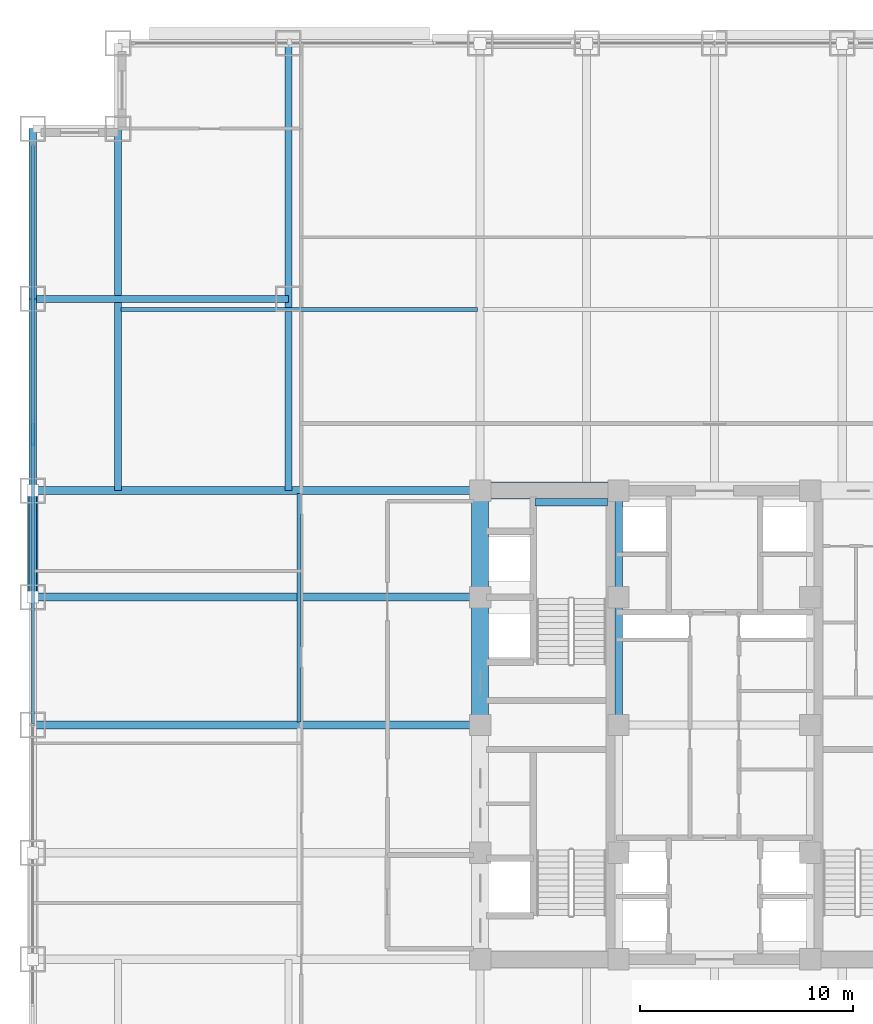
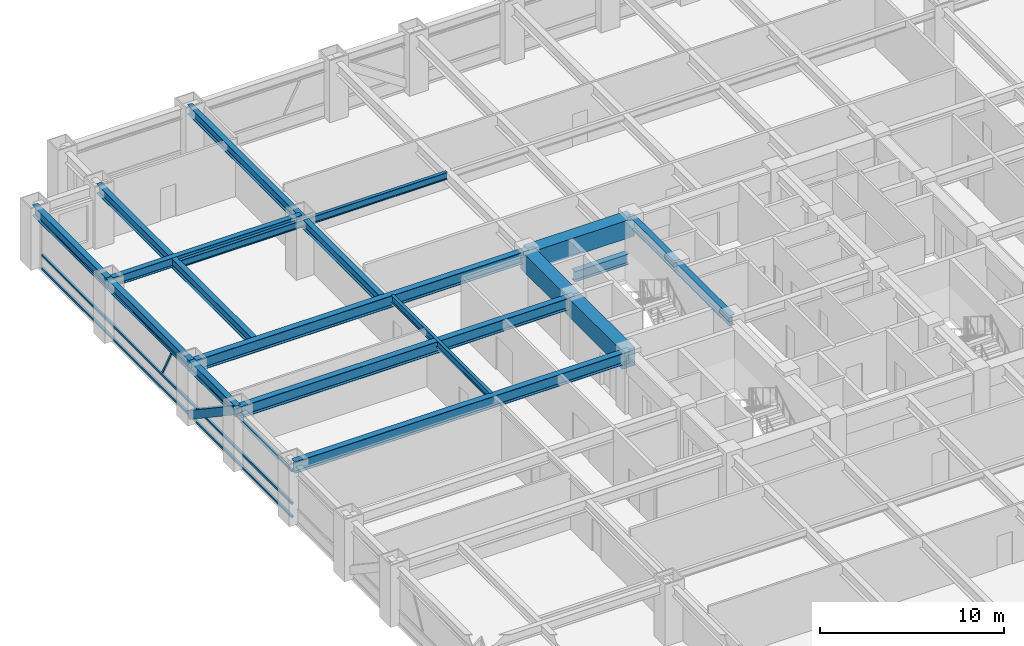
# One storey, part 9 of 32: 17 beams, 5 members, 1 element without a shape of its own.
"""IFC4 building model written with IfcOpenShell, lengths in metres."""

import ifcopenshell
import ifcopenshell.guid

model = None  # the IFC model being written
_history = None  # IfcOwnerHistory: only IFC2X3 demands one
_inside = {}  # id of a spatial element -> (the spatial element, [elements in it])
_under = {}  # id of a project, library or spatial element -> (it, [spatial elements below it])
_declared = {}  # id of a project -> (the project, [libraries it declares])
_typed = {}  # id of a type object -> (the type object, [elements of that type])
_made_of = {}  # id of a material, layer set ... -> (it, [elements and type objects made of it])


def new_model(schema):
    """Start an empty IFC model of exactly this schema.

    Asked for "IFC4X3", IfcOpenShell would pick the latest addendum, in which some entities
    have other attributes; the version numbers below select the first issue.
    IFC2X3 requires an IfcOwnerHistory on every rooted entity: one is made here for all.
    """
    global model, _history
    if schema == "IFC4X3":
        model = ifcopenshell.file(schema_version=(4, 3, 0, 0))
    else:
        model = ifcopenshell.file(schema=schema)
    _inside.clear()
    _under.clear()
    _declared.clear()
    _typed.clear()
    _made_of.clear()
    _history = None
    if model.schema == "IFC2X3":
        org = make("IfcOrganization", Name="unknown")
        user = make(
            "IfcPersonAndOrganization",
            ThePerson=make("IfcPerson", FamilyName="unknown"),
            TheOrganization=org,
        )
        app = make(
            "IfcApplication",
            ApplicationDeveloper=org,
            Version="unknown",
            ApplicationFullName="unknown",
            ApplicationIdentifier="unknown",
        )
        _history = make(
            "IfcOwnerHistory",
            OwningUser=user,
            OwningApplication=app,
            ChangeAction="ADDED",
            CreationDate=0,
        )
    return model


def make(cls, **values):
    """One entity of the class cls with the attributes given. An attribute that is None is left unset."""
    return model.create_entity(
        cls, **{name: value for name, value in values.items() if value is not None}
    )


def rooted(cls, **values):
    """An entity with a GlobalId (a new one), such as an element, a storey or a relation."""
    return make(cls, GlobalId=ifcopenshell.guid.new(), OwnerHistory=_history, **values)


def si_unit(unit_type, name, prefix=None):
    """IfcSIUnit, for example si_unit("LENGTHUNIT", "METRE", prefix="MILLI")."""
    return make("IfcSIUnit", UnitType=unit_type, Prefix=prefix, Name=name)


def assignment(units):
    """IfcUnitAssignment: the units of a project."""
    return None if units is None else make("IfcUnitAssignment", Units=units)


def point(xyz):
    """IfcCartesianPoint."""
    return None if xyz is None else make("IfcCartesianPoint", Coordinates=xyz)


def direction(xyz):
    """IfcDirection."""
    return None if xyz is None else make("IfcDirection", DirectionRatios=xyz)


def frame(location, z_axis=None, x_axis=None):
    """IfcAxis2Placement3D, a coordinate frame: its origin and axes. An axis left out is left unset."""
    return make(
        "IfcAxis2Placement3D",
        Location=point(location),
        Axis=direction(z_axis),
        RefDirection=direction(x_axis),
    )


def frame_2d(location, x_axis=None):
    """IfcAxis2Placement2D, a coordinate frame in the plane: its origin and x axis."""
    return make(
        "IfcAxis2Placement2D", Location=point(location), RefDirection=direction(x_axis)
    )


def origin():
    """The frame at (0, 0, 0) with its axes left unset."""
    return frame((0.0, 0.0, 0.0))


def origin_2d():
    """The frame at (0, 0) in the plane with its x axis left unset."""
    return frame_2d((0.0, 0.0))


def place(relative_to, where):
    """IfcLocalPlacement: puts the frame where relative to a parent placement (None: the world)."""
    return make(
        "IfcLocalPlacement", PlacementRelTo=relative_to, RelativePlacement=where
    )


def context(
    kind, dimensions, precision=None, world=None, true_north=None, identifier=None
):
    """IfcGeometricRepresentationContext, for example the 3D "Model" context."""
    return make(
        "IfcGeometricRepresentationContext",
        ContextIdentifier=identifier,
        ContextType=kind,
        CoordinateSpaceDimension=dimensions,
        Precision=precision,
        WorldCoordinateSystem=world,
        TrueNorth=true_north,
    )


def subcontext(parent, identifier, kind, view, scale=None):
    """IfcGeometricRepresentationSubContext, for example "Body" below "Model"."""
    return make(
        "IfcGeometricRepresentationSubContext",
        ContextIdentifier=identifier,
        ContextType=kind,
        ParentContext=parent,
        TargetScale=scale,
        TargetView=view,
    )


def project(units=None, contexts=None):
    """IfcProject with its units and contexts."""
    return rooted(
        "IfcProject",
        Name="project",
        RepresentationContexts=contexts,
        UnitsInContext=assignment(units),
    )


def spatial(cls, under=None, at=None, **own):
    """A site, building, storey or space (cls), placed at a placement, below another one or the project."""
    s = rooted(cls, ObjectPlacement=at, **own)
    if under is not None:
        _under.setdefault(under.id(), (under, []))[1].append(s)
    return s


def profile(cls, at=None, kind="AREA", **sizes):
    """A parametric profile (cls). Its sizes go by their IFC names, for example OverallWidth=200.0."""
    return make(cls, ProfileType=kind, Position=at, **sizes)


def rectangle(**sizes):
    """IfcRectangleProfileDef."""
    return profile("IfcRectangleProfileDef", **sizes)


def hollow_rectangle(**sizes):
    """IfcRectangleHollowProfileDef."""
    return profile("IfcRectangleHollowProfileDef", **sizes)


def i_section(**sizes):
    """IfcIShapeProfileDef."""
    return profile("IfcIShapeProfileDef", **sizes)


def extrude(swept, where, along, depth):
    """IfcExtrudedAreaSolid: the profile swept, set in the frame where, extruded along a direction by depth."""
    return make(
        "IfcExtrudedAreaSolid",
        SweptArea=swept,
        Position=where,
        ExtrudedDirection=direction(along),
        Depth=depth,
    )


def shape(context_of_items, identifier, shape_type, items):
    """IfcShapeRepresentation: the items that make up one representation, for example the "Body"."""
    return make(
        "IfcShapeRepresentation",
        ContextOfItems=context_of_items,
        RepresentationIdentifier=identifier,
        RepresentationType=shape_type,
        Items=items,
    )


def source(mapping_origin, context_of_items, identifier, shape_type, items):
    """IfcRepresentationMap: a shape defined once, which mapped items show again and again."""
    return make(
        "IfcRepresentationMap",
        MappingOrigin=mapping_origin,
        MappedRepresentation=shape(context_of_items, identifier, shape_type, items),
    )


def transform(
    local_origin,
    x_axis=None,
    y_axis=None,
    z_axis=None,
    scale=None,
    scale2=None,
    scale3=None,
    uniform=True,
):
    """IfcCartesianTransformationOperator3D, or its non-uniform kind. x_axis, y_axis, z_axis: its Axis1, 2, 3."""
    if uniform:
        return make(
            "IfcCartesianTransformationOperator3D",
            Axis1=direction(x_axis),
            Axis2=direction(y_axis),
            LocalOrigin=point(local_origin),
            Scale=scale,
            Axis3=direction(z_axis),
        )
    return make(
        "IfcCartesianTransformationOperator3DnonUniform",
        Axis1=direction(x_axis),
        Axis2=direction(y_axis),
        LocalOrigin=point(local_origin),
        Scale=scale,
        Axis3=direction(z_axis),
        Scale2=scale2,
        Scale3=scale3,
    )


def mapped(mapping_source, mapping_target):
    """IfcMappedItem: shows the shape of a source again, moved by a transform."""
    return make(
        "IfcMappedItem", MappingSource=mapping_source, MappingTarget=mapping_target
    )


def material(Name=None, Category=None):
    """IfcMaterial."""
    return make("IfcMaterial", Name=Name, Category=Category)


def material_profile(
    of_material, cross_section, Name=None, Category=None, Priority=None
):
    """IfcMaterialProfile: a cross section and its material."""
    return make(
        "IfcMaterialProfile",
        Name=Name,
        Material=of_material,
        Profile=cross_section,
        Priority=Priority,
        Category=Category,
    )


def profile_set(profiles, Name=None, composite=None):
    """IfcMaterialProfileSet."""
    return make(
        "IfcMaterialProfileSet",
        Name=Name,
        MaterialProfiles=profiles,
        CompositeProfile=composite,
    )


def made_of(thing, what):
    """Note that an element or type object is made of a material, layer set ...; save() writes the relation."""
    if what is not None:
        _made_of.setdefault(what.id(), (what, []))[1].append(thing)
    return thing


def type_object(cls, material=None, **own):
    """A type object (cls), such as IfcWallType, which elements share."""
    return made_of(rooted(cls, **own), material)


def element(
    cls,
    number,
    at=None,
    inside=None,
    cuts=None,
    type_object=None,
    material=None,
    context=None,
    identifier="Body",
    shape_type=None,
    held_by="IfcProductDefinitionShape",
    body=None,
    shapes=None,
    **own,
):
    """One element of the class cls, such as IfcWall. Its Tag is "e" and its number.

    at: its placement. inside: the storey or other place that contains it. cuts: it is an
    opening in that element (IfcRelVoidsElement). A single representation is given by context,
    identifier, shape_type and body (its items); several are given by shapes. held_by: the class
    of the entity that holds the representations. save() writes the other relations.
    """
    e = rooted(cls, Tag="e%d" % number, ObjectPlacement=at, **own)
    if body is not None:
        shapes = [shape(context, identifier, shape_type, body)]
    if shapes is not None:
        e.Representation = make(held_by, Representations=shapes)
    if inside is not None:
        _inside.setdefault(inside.id(), (inside, []))[1].append(e)
    if cuts is not None:
        rooted(
            "IfcRelVoidsElement", RelatingBuildingElement=cuts, RelatedOpeningElement=e
        )
    if type_object is not None:
        _typed.setdefault(type_object.id(), (type_object, []))[1].append(e)
    return made_of(e, material)


def aggregate(whole, parts):
    """IfcRelAggregates: a whole, such as a stair, and the parts it consists of."""
    return rooted("IfcRelAggregates", RelatingObject=whole, RelatedObjects=parts)


def save(model, path):
    """Write the relations noted so far, then the file.

    IfcRelAggregates (storeys below a building ...), IfcRelContainedInSpatialStructure (elements
    in a storey), IfcRelDefinesByType, IfcRelAssociatesMaterial and IfcRelDeclares: one each for
    every whole, place, type object, material and project.
    """
    for whole, parts in _under.values():
        aggregate(whole, parts)
    for where, things in _inside.values():
        rooted(
            "IfcRelContainedInSpatialStructure",
            RelatedElements=things,
            RelatingStructure=where,
        )
    for kind, things in _typed.values():
        rooted("IfcRelDefinesByType", RelatedObjects=things, RelatingType=kind)
    for what, things in _made_of.values():
        rooted("IfcRelAssociatesMaterial", RelatedObjects=things, RelatingMaterial=what)
    for by, libraries in _declared.values():
        rooted("IfcRelDeclares", RelatingContext=by, RelatedDefinitions=libraries)
    model.write(path)


model = new_model("IFC4")

# Units and contexts
model_context = context("Model", 3, precision=1e-05, world=origin(), true_north=direction((0.0, 1.0)))
body_context = subcontext(model_context, "Body", "Model", "MODEL_VIEW")
ifc_project = project(units=[si_unit("LENGTHUNIT", "METRE"), si_unit("AREAUNIT", "SQUARE_METRE"), si_unit("VOLUMEUNIT", "CUBIC_METRE"), si_unit("PLANEANGLEUNIT", "RADIAN"), si_unit("MASSUNIT", "GRAM", prefix="KILO")], contexts=[model_context])

# Site, building, storey
site_placement = place(None, origin())
site = spatial("IfcSite", under=ifc_project, at=site_placement, CompositionType="ELEMENT")
building_placement = place(site_placement, origin())
building = spatial("IfcBuilding", under=site, at=building_placement, Name="Khorayat Bourse Tower", CompositionType="ELEMENT")
storey_placement = place(building_placement, frame((0.0, 0.0, 91.39990234375)))
storey = spatial("IfcBuildingStorey", under=building, at=storey_placement, Name="L20", CompositionType="ELEMENT", Elevation=91.39990234375)

# Beams
ifc_material_1 = material(Name="Concrete C72/90", Category="concrete")
ifc_material_profile_1 = material_profile(ifc_material_1, rectangle(XDim=0.800048828125, YDim=1.199951171875, at=origin_2d()), Name="RC 800x1200")
ifc_profile_set_1 = profile_set([ifc_material_profile_1], Name="Concrete C72/90")
beam_type_1 = type_object("IfcBeamType", Name="BM-COUP-1200", PredefinedType="BEAM", material=ifc_profile_set_1)
shared_shape_1 = source(origin(), body_context, "Body", "SweptSolid", [
    extrude(rectangle(XDim=0.800048828125, YDim=1.199951171875, at=origin_2d()), origin(), (0.0, 0.0, 1.0), 5.0),
])
beam_1_placement = place(storey_placement, frame((-11.0, 6.0, 3.239990234375), z_axis=(0.0, 1.0, 0.0), x_axis=(-1.0, 0.0, 0.0)))
element("IfcBeam", 1, at=beam_1_placement, inside=storey, type_object=beam_type_1, Name="L20 BM-COUP-1200 BM-L20-CRX-04", PredefinedType="BEAM", context=body_context, shape_type="MappedRepresentation", body=[
    mapped(shared_shape_1, transform((0.0, 0.0, 0.0), scale=1.0)),
])
shared_shape_2 = source(origin(), body_context, "Body", "SweptSolid", [
    extrude(rectangle(XDim=0.800048828125, YDim=1.199951171875, at=origin_2d()), origin(), (0.0, 0.0, 1.0), 6.0),
])
beam_2_placement = place(storey_placement, frame((-11.0, 0.0, 3.239990234375), z_axis=(0.0, 1.0, 0.0), x_axis=(-1.0, 0.0, 0.0)))
element("IfcBeam", 2, at=beam_2_placement, inside=storey, type_object=beam_type_1, Name="L20 BM-COUP-1200 BM-L20-CRX-03", PredefinedType="BEAM", context=body_context, shape_type="MappedRepresentation", body=[
    mapped(shared_shape_2, transform((0.0, 0.0, 0.0), scale=1.0)),
])
ifc_material_2 = material(Name="Steel ASTM A992 Grade 50", Category="steel")
ifc_material_profile_2 = material_profile(ifc_material_2, i_section(OverallWidth=0.35498046875, OverallDepth=0.695068359375, WebThickness=0.015380859375, FlangeThickness=0.02490234375, FilletRadius=0.01806640625, at=origin_2d()), Name="W690X217")
ifc_profile_set_2 = profile_set([ifc_material_profile_2], Name="Steel ASTM A992 Grade 50")
beam_type_2 = type_object("IfcBeamType", Name="BM-GIRD-690", PredefinedType="BEAM", material=ifc_profile_set_2)
shared_shape_3 = source(origin(), body_context, "Body", "SweptSolid", [
    extrude(i_section(OverallWidth=0.35498046875, OverallDepth=0.695068359375, WebThickness=0.015380859375, FlangeThickness=0.02490234375, FilletRadius=0.01806640625, at=origin_2d()), origin(), (0.0, 0.0, 1.0), 5.0),
])
beam_3_placement = place(storey_placement, frame((-4.5, 6.0, 3.49267578125), z_axis=(0.0, 1.0, 0.0), x_axis=(-1.0, 0.0, 0.0)))
element("IfcBeam", 3, at=beam_3_placement, inside=storey, type_object=beam_type_2, Name="L20 BM-GIRD-690 BM-L20-CRX-08", PredefinedType="BEAM", context=body_context, shape_type="MappedRepresentation", body=[
    mapped(shared_shape_3, transform((0.0, 0.0, 0.0), scale=1.0)),
])
shared_shape_4 = source(origin(), body_context, "Body", "SweptSolid", [
    extrude(i_section(OverallWidth=0.35498046875, OverallDepth=0.695068359375, WebThickness=0.015380859375, FlangeThickness=0.02490234375, FilletRadius=0.01806640625, at=origin_2d()), origin(), (0.0, 0.0, 1.0), 6.0),
])
beam_4_placement = place(storey_placement, frame((-4.5, 0.0, 3.49267578125), z_axis=(0.0, 1.0, 0.0), x_axis=(-1.0, 0.0, 0.0)))
element("IfcBeam", 4, at=beam_4_placement, inside=storey, type_object=beam_type_2, Name="L20 BM-GIRD-690 BM-L20-CRX-07", PredefinedType="BEAM", context=body_context, shape_type="MappedRepresentation", body=[
    mapped(shared_shape_4, transform((0.0, 0.0, 0.0), scale=1.0)),
])
shared_shape_5 = source(origin(), body_context, "Body", "SweptSolid", [
    extrude(rectangle(XDim=0.800048828125, YDim=1.199951171875, at=origin_2d()), origin(), (0.0, 0.0, 1.0), 6.5),
])
beam_5_placement = place(storey_placement, frame((-11.0, 11.0, 3.239990234375), z_axis=(1.0, 0.0, 0.0), x_axis=(0.0, 1.0, 0.0)))
element("IfcBeam", 5, at=beam_5_placement, inside=storey, type_object=beam_type_1, Name="L20 BM-COUP-1200 BM-L20-CRY-20", PredefinedType="BEAM", context=body_context, shape_type="MappedRepresentation", body=[
    mapped(shared_shape_5, transform((0.0, 0.0, 0.0), scale=1.0)),
])
shared_shape_6 = source(origin(), body_context, "Body", "SweptSolid", [
    extrude(i_section(OverallWidth=0.35498046875, OverallDepth=0.695068359375, WebThickness=0.015380859375, FlangeThickness=0.02490234375, FilletRadius=0.01806640625, at=origin_2d()), origin(), (0.0, 0.0, 1.0), 3.39990234375),
])
beam_6_placement = place(storey_placement, frame((-8.419921875, 10.449951171875, 1.502685546875), z_axis=(1.0, 0.0, 0.0), x_axis=(0.0, 1.0, 0.0)))
element("IfcBeam", 6, at=beam_6_placement, inside=storey, type_object=beam_type_2, Name="L20 BM-GIRD-690 BM-L20-ST2L", PredefinedType="BEAM", context=body_context, shape_type="MappedRepresentation", body=[
    mapped(shared_shape_6, transform((0.0, 0.0, 0.0), scale=1.0)),
])
ifc_material_profile_3 = material_profile(ifc_material_2, i_section(OverallWidth=0.35498046875, OverallDepth=0.695068359375, WebThickness=0.015380859375, FlangeThickness=0.02490234375, FilletRadius=0.01806640625, at=origin_2d()), Name="W690X217")
ifc_profile_set_3 = profile_set([ifc_material_profile_3], Name="Steel ASTM A992 Grade 50")
beam_type_3 = type_object("IfcBeamType", Name="BM-SPAN-690", PredefinedType="SPANDREL", material=ifc_profile_set_3)
shared_shape_7 = source(origin(), body_context, "Body", "SweptSolid", [
    extrude(i_section(OverallWidth=0.35498046875, OverallDepth=0.695068359375, WebThickness=0.015380859375, FlangeThickness=0.02490234375, FilletRadius=0.01806640625, at=origin_2d()), origin(), (0.0, 0.0, 1.0), 9.0),
])
beam_7_placement = place(storey_placement, frame((-32.0, 11.0, 3.49267578125), z_axis=(0.0, 1.0, 0.0), x_axis=(-1.0, 0.0, 0.0)))
element("IfcBeam", 7, at=beam_7_placement, inside=storey, type_object=beam_type_3, Name="L20 BM-SPAN-690 BM-L20-SPN-055", PredefinedType="SPANDREL", context=body_context, shape_type="MappedRepresentation", body=[
    mapped(shared_shape_7, transform((0.0, 0.0, 0.0), scale=1.0)),
])
shared_shape_8 = source(origin(), body_context, "Body", "SweptSolid", [
    extrude(i_section(OverallWidth=0.35498046875, OverallDepth=0.695068359375, WebThickness=0.015380859375, FlangeThickness=0.02490234375, FilletRadius=0.01806640625, at=origin_2d()), origin(), (0.0, 0.0, 1.0), 5.0),
])
beam_8_placement = place(storey_placement, frame((-32.0, 6.0, 3.49267578125), z_axis=(0.0, 1.0, 0.0), x_axis=(-1.0, 0.0, 0.0)))
element("IfcBeam", 8, at=beam_8_placement, inside=storey, type_object=beam_type_3, Name="L20 BM-SPAN-690 BM-L20-SPN-056", PredefinedType="SPANDREL", context=body_context, shape_type="MappedRepresentation", body=[
    mapped(shared_shape_8, transform((0.0, 0.0, 0.0), scale=1.0)),
])
ifc_material_profile_4 = material_profile(ifc_material_2, i_section(OverallWidth=0.324951171875, OverallDepth=0.615966796875, WebThickness=0.013916015625, FlangeThickness=0.021484375, FilletRadius=0.01611328125, at=origin_2d()), Name="W610X174")
ifc_profile_set_4 = profile_set([ifc_material_profile_4], Name="Steel ASTM A992 Grade 50")
beam_type_4 = type_object("IfcBeamType", Name="BM-GIRD-610", PredefinedType="BEAM", material=ifc_profile_set_4)
shared_shape_9 = source(origin(), body_context, "Body", "SweptSolid", [
    extrude(i_section(OverallWidth=0.324951171875, OverallDepth=0.615966796875, WebThickness=0.013916015625, FlangeThickness=0.021484375, FilletRadius=0.01611328125, at=origin_2d()), origin(), (0.0, 0.0, 1.0), 21.0),
])
beam_9_placement = place(storey_placement, frame((-20.0, 11.0, 3.531982421875), z_axis=(0.0, 1.0, 0.0), x_axis=(-1.0, 0.0, 0.0)))
element("IfcBeam", 9, at=beam_9_placement, inside=storey, type_object=beam_type_4, Name="L20 BM-GIRD-610 BM-L20-CNRY-085", PredefinedType="BEAM", context=body_context, shape_type="MappedRepresentation", body=[
    mapped(shared_shape_9, transform((0.0, 0.0, 0.0), scale=1.0)),
])
shared_shape_10 = source(origin(), body_context, "Body", "SweptSolid", [
    extrude(i_section(OverallWidth=0.324951171875, OverallDepth=0.615966796875, WebThickness=0.013916015625, FlangeThickness=0.021484375, FilletRadius=0.01611328125, at=origin_2d()), origin(), (0.0, 0.0, 1.0), 12.0),
])
beam_10_placement = place(storey_placement, frame((-32.0, 20.0, 3.531982421875), z_axis=(1.0, 0.0, 0.0), x_axis=(0.0, 1.0, 0.0)))
element("IfcBeam", 10, at=beam_10_placement, inside=storey, type_object=beam_type_4, Name="L20 BM-GIRD-610 BM-L20-CNRX-095", PredefinedType="BEAM", context=body_context, shape_type="MappedRepresentation", body=[
    mapped(shared_shape_10, transform((0.0, 0.0, 0.0), scale=1.0)),
])
ifc_material_profile_5 = material_profile(ifc_material_2, i_section(OverallWidth=0.194091796875, OverallDepth=0.468994140625, WebThickness=0.0126953125, FlangeThickness=0.0205078125, FilletRadius=0.012939453125, at=origin_2d()), Name="W460X106")
ifc_profile_set_5 = profile_set([ifc_material_profile_5], Name="Steel ASTM A992 Grade 50")
beam_type_5 = type_object("IfcBeamType", Name="BM-JOIST-460", PredefinedType="JOIST", material=ifc_profile_set_5)
shared_shape_11 = source(origin(), body_context, "Body", "SweptSolid", [
    extrude(i_section(OverallWidth=0.194091796875, OverallDepth=0.468994140625, WebThickness=0.0126953125, FlangeThickness=0.0205078125, FilletRadius=0.012939453125, at=origin_2d()), origin(), (0.0, 0.0, 1.0), 10.740234375),
])
beam_11_placement = place(storey_placement, frame((-19.5, 0.1298828125, 3.605712890625), z_axis=(0.0, 1.0, 0.0), x_axis=(-1.0, 0.0, 0.0)))
element("IfcBeam", 11, at=beam_11_placement, inside=storey, type_object=beam_type_5, Name="L20 BM-JOIST-460 BM-L20-JSTY-103", PredefinedType="JOIST", context=body_context, shape_type="MappedRepresentation", body=[
    mapped(shared_shape_11, transform((0.0, 0.0, 0.0), scale=1.0)),
])
shared_shape_12 = source(origin(), body_context, "Body", "SweptSolid", [
    extrude(i_section(OverallWidth=0.35498046875, OverallDepth=0.695068359375, WebThickness=0.015380859375, FlangeThickness=0.02490234375, FilletRadius=0.01806640625, at=origin_2d()), origin(), (0.0, 0.0, 1.0), 8.0),
])
beam_12_placement = place(storey_placement, frame((-32.0, 20.0, 3.49267578125), z_axis=(0.0, 1.0, 0.0), x_axis=(-1.0, 0.0, 0.0)))
element("IfcBeam", 12, at=beam_12_placement, inside=storey, type_object=beam_type_3, Name="L20 BM-SPAN-690 BM-L20-SPN-054", PredefinedType="SPANDREL", context=body_context, shape_type="MappedRepresentation", body=[
    mapped(shared_shape_12, transform((0.0, 0.0, 0.0), scale=1.0)),
])
ifc_material_profile_6 = material_profile(ifc_material_2, i_section(OverallWidth=0.381103515625, OverallDepth=0.77294921875, WebThickness=0.0166015625, FlangeThickness=0.027587890625, FilletRadius=0.01806640625, at=origin_2d()), Name="W760X257")
ifc_profile_set_6 = profile_set([ifc_material_profile_6], Name="Steel ASTM A992 Grade 50")
beam_type_6 = type_object("IfcBeamType", Name="BM-GIRD-760", PredefinedType="BEAM", material=ifc_profile_set_6)
shared_shape_13 = source(origin(), body_context, "Body", "SweptSolid", [
    extrude(i_section(OverallWidth=0.381103515625, OverallDepth=0.77294921875, WebThickness=0.0166015625, FlangeThickness=0.027587890625, FilletRadius=0.01806640625, at=origin_2d()), origin(), (0.0, 0.0, 1.0), 21.0),
])
for number, where, z_axis, x_axis, name in (
    (13, (-32.0, 0.0, 3.45361328125), (1.0, 0.0, 0.0), (0.0, 1.0, 0.0), "L20 BM-GIRD-760 BM-L20-RADX-079"),
    (14, (-32.0, 6.0, 3.45361328125), (1.0, 0.0, 0.0), (0.0, 1.0, 0.0), "L20 BM-GIRD-760 BM-L20-RADX-081"),
    (15, (-32.0, 11.0, 3.45361328125), (1.0, 0.0, 0.0), (0.0, 1.0, 0.0), "L20 BM-GIRD-760 BM-L20-RADX-083"),
):
    element("IfcBeam", number, at=place(storey_placement, frame(where, z_axis=z_axis, x_axis=x_axis)), inside=storey, type_object=beam_type_6, Name=name, PredefinedType="BEAM", context=body_context, shape_type="MappedRepresentation", body=[
        mapped(shared_shape_13, transform((0.0, 0.0, 0.0), scale=1.0)),
    ])
shared_shape_14 = source(origin(), body_context, "Body", "SweptSolid", [
    extrude(i_section(OverallWidth=0.324951171875, OverallDepth=0.615966796875, WebThickness=0.013916015625, FlangeThickness=0.021484375, FilletRadius=0.01611328125, at=origin_2d()), origin(), (0.0, 0.0, 1.0), 17.0),
])
beam_13_placement = place(storey_placement, frame((-28.0, 11.0, 3.531982421875), z_axis=(0.0, 1.0, 0.0), x_axis=(-1.0, 0.0, 0.0)))
element("IfcBeam", 16, at=beam_13_placement, inside=storey, type_object=beam_type_4, Name="L20 BM-GIRD-610 BM-L20-CNRY-089", PredefinedType="BEAM", context=body_context, shape_type="MappedRepresentation", body=[
    mapped(shared_shape_14, transform((0.0, 0.0, 0.0), scale=1.0)),
])
shared_shape_15 = source(origin(), body_context, "Body", "SweptSolid", [
    extrude(i_section(OverallWidth=0.194091796875, OverallDepth=0.468994140625, WebThickness=0.0126953125, FlangeThickness=0.0205078125, FilletRadius=0.012939453125, at=origin_2d()), origin(), (0.0, 0.0, 1.0), 16.740234375),
])
beam_14_placement = place(storey_placement, frame((-27.8701171875, 19.5, 3.605712890625), z_axis=(1.0, 0.0, 0.0), x_axis=(0.0, 1.0, 0.0)))
element("IfcBeam", 17, at=beam_14_placement, inside=storey, type_object=beam_type_5, Name="L20 BM-JOIST-460 BM-L20-JSTX-099", PredefinedType="JOIST", context=body_context, shape_type="MappedRepresentation", body=[
    mapped(shared_shape_15, transform((0.0, 0.0, 0.0), scale=1.0)),
])

# Member
ifc_material_3 = material(Name="Steel EN 10025-4 S460M", Category="steel")
ifc_material_profile_7 = material_profile(ifc_material_3, hollow_rectangle(XDim=0.5, YDim=0.5, WallThickness=0.028076171875, at=origin_2d()), Name="HSS 500x500x28")
ifc_profile_set_7 = profile_set([ifc_material_profile_7], Name="Steel EN 10025-4 S460M")
member_type_1 = type_object("IfcMemberType", Name="MBR-TUBE-500", PredefinedType="BRACE", material=ifc_profile_set_7)
shared_shape_16 = source(origin(), body_context, "Body", "SweptSolid", [
    extrude(hollow_rectangle(XDim=0.5, YDim=0.5, WallThickness=0.028076171875, at=origin_2d()), origin(), (0.0, 0.0, 1.0), 6.012939453125),
])
member_1_placement = place(storey_placement, frame((-32.0, 6.0, 3.590087890625), z_axis=(0.0, 0.831531473026, -0.555477640745), x_axis=(-1.0, 0.0, 0.0)))
element("IfcMember", 18, at=member_1_placement, inside=storey, type_object=member_type_1, Name="L20 Perimeter Tube Brace 06", PredefinedType="BRACE", context=body_context, shape_type="MappedRepresentation", body=[
    mapped(shared_shape_16, transform((0.0, 0.0, 0.0), scale=1.0)),
])

# Curtain wall, members
ifc_material_4 = material(Name="Aluminium EN AW-6063 T6", Category="aluminium")
curtain_wall_type = type_object("IfcCurtainWallType", Name="CW-SYS-02", PredefinedType="NOTDEFINED", material=ifc_material_4)
curtain_wall_placement = place(storey_placement, origin())
curtain_wall = element("IfcCurtainWall", 19, at=curtain_wall_placement, inside=storey, type_object=curtain_wall_type, Name="L20 Curtain Wall CW-L20-W1", PredefinedType="NOTDEFINED")
ifc_material_profile_8 = material_profile(ifc_material_4, hollow_rectangle(XDim=0.139892578125, YDim=0.139892578125, WallThickness=0.006103515625, at=origin_2d()), Name="ALU 140x140x6")
ifc_profile_set_8 = profile_set([ifc_material_profile_8], Name="Aluminium EN AW-6063 T6")
member_type_2 = type_object("IfcMemberType", Name="CWT-HORZ-140", PredefinedType="USERDEFINED", material=ifc_profile_set_8)
shared_shape_17 = source(origin(), body_context, "Body", "SweptSolid", [
    extrude(hollow_rectangle(XDim=0.139892578125, YDim=0.139892578125, WallThickness=0.006103515625, at=origin_2d()), origin(), (0.0, 0.0, 1.0), 27.139892578125),
])
member_2_placement = place(storey_placement, frame((-32.0, 0.070068359375, 0.070068359375), z_axis=(0.0, 1.0, 0.0), x_axis=(-1.0, 0.0, 0.0)))
member_2 = element("IfcMember", 20, at=member_2_placement, type_object=member_type_2, Name="CW-L20-W1 Horizontal Transom 2-1", ObjectType="TRANSOM", PredefinedType="USERDEFINED", context=body_context, shape_type="MappedRepresentation", body=[
    mapped(shared_shape_17, transform((0.0, 0.0, 0.0), scale=1.0)),
])
member_3_placement = place(storey_placement, frame((-32.0, 0.070068359375, 0.9501953125), z_axis=(0.0, 1.0, 0.0), x_axis=(-1.0, 0.0, 0.0)))
member_3 = element("IfcMember", 21, at=member_3_placement, type_object=member_type_2, Name="CW-L20-W1 Horizontal Transom 2-2", ObjectType="TRANSOM", PredefinedType="USERDEFINED", context=body_context, shape_type="MappedRepresentation", body=[
    mapped(shared_shape_17, transform((0.0, 0.0, 0.0), scale=1.0)),
])
member_4_placement = place(storey_placement, frame((-32.0, 0.070068359375, 3.1201171875), z_axis=(0.0, 1.0, 0.0), x_axis=(-1.0, 0.0, 0.0)))
member_4 = element("IfcMember", 22, at=member_4_placement, type_object=member_type_2, Name="CW-L20-W1 Horizontal Transom 2-3", ObjectType="TRANSOM", PredefinedType="USERDEFINED", context=body_context, shape_type="MappedRepresentation", body=[
    mapped(shared_shape_17, transform((0.0, 0.0, 0.0), scale=1.0)),
])
ifc_material_profile_9 = material_profile(ifc_material_4, hollow_rectangle(XDim=0.1201171875, YDim=0.1201171875, WallThickness=0.0048828125, at=origin_2d()), Name="ALU 120x120x5")
ifc_profile_set_9 = profile_set([ifc_material_profile_9], Name="Aluminium EN AW-6063 T6")
member_type_3 = type_object("IfcMemberType", Name="CWM-DIAG-120", PredefinedType="MULLION", material=ifc_profile_set_9)
shared_shape_18 = source(origin(), body_context, "Body", "SweptSolid", [
    extrude(hollow_rectangle(XDim=0.1201171875, YDim=0.1201171875, WallThickness=0.0048828125, at=origin_2d()), origin(), (0.0, 0.0, 1.0), 2.11328125),
])
member_5_placement = place(storey_placement, frame((-32.0, 14.132080078125, 1.10009765625), z_axis=(0.0, -0.465694055905, 0.884945787207), x_axis=(1.0, 0.0, 0.0)))
member_5 = element("IfcMember", 23, at=member_5_placement, type_object=member_type_3, Name="CW-L20-W1 Faceted Diagonal Mullion 2", PredefinedType="MULLION", context=body_context, shape_type="MappedRepresentation", body=[
    mapped(shared_shape_18, transform((0.0, 0.0, 0.0), scale=1.0)),
])
aggregate(curtain_wall, [member_2, member_3, member_4, member_5])

save(model, "model.ifc")
